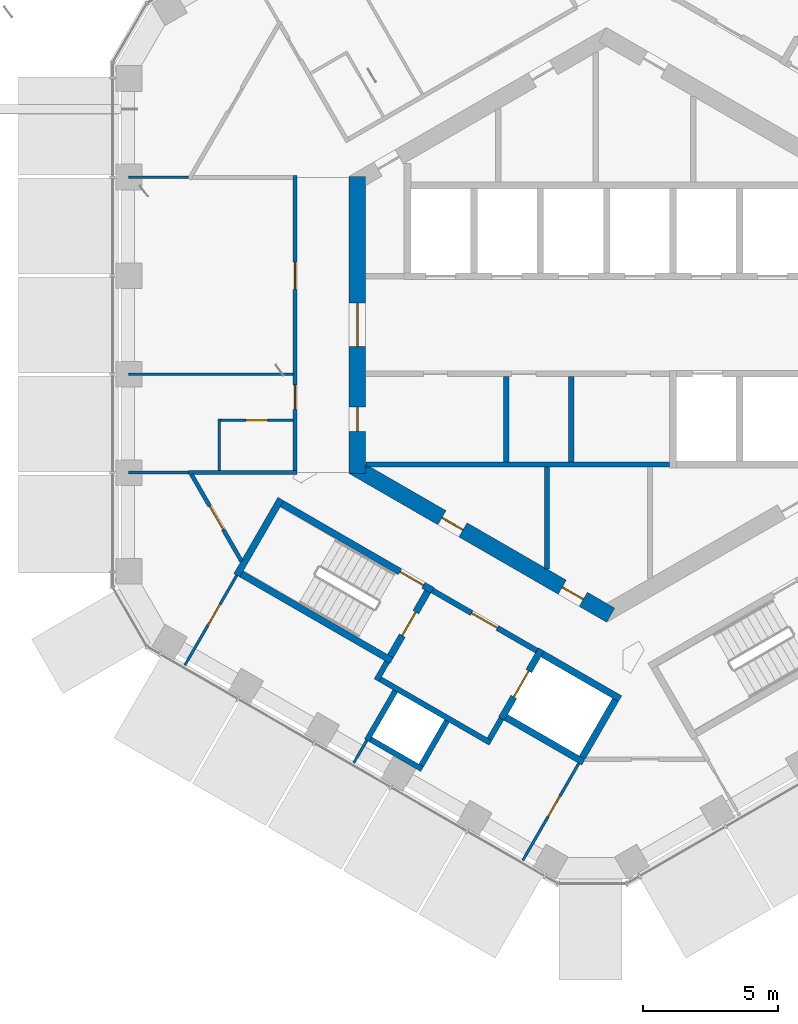
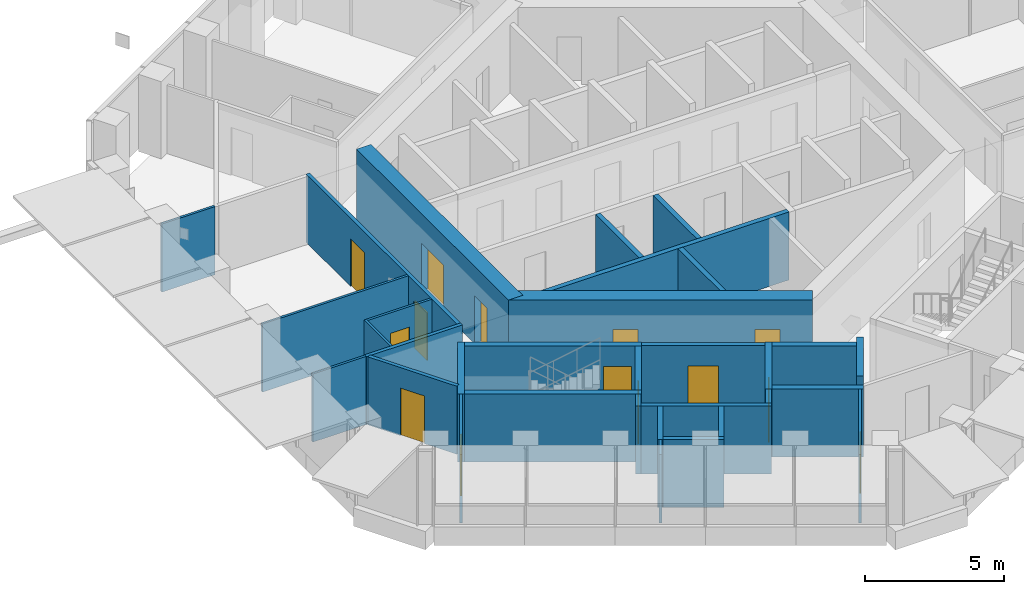
# One storey, part 12 of 21: 32 walls, 14 doors, 14 openings.
"""IFC4 building model written with IfcOpenShell, lengths in metres."""

from ifc_helpers import new_model, si_unit, direction, frame, frame_2d, origin, place, context, subcontext, project, spatial, rectangle, extrude, material, layer, layer_set, type_object, element, fill, save


model = new_model("IFC4")

# Units and contexts
model_context = context("Model", 3, precision=1e-05, world=origin(), true_north=direction((0.0, 1.0)))
body_context = subcontext(model_context, "Body", "Model", "MODEL_VIEW")
ifc_project = project(units=[si_unit("LENGTHUNIT", "METRE"), si_unit("AREAUNIT", "SQUARE_METRE"), si_unit("VOLUMEUNIT", "CUBIC_METRE"), si_unit("PLANEANGLEUNIT", "RADIAN"), si_unit("MASSUNIT", "GRAM", prefix="KILO")], contexts=[model_context])

# Site, building, storey
site_placement = place(None, origin())
site = spatial("IfcSite", under=ifc_project, at=site_placement, CompositionType="ELEMENT")
building_placement = place(site_placement, origin())
building = spatial("IfcBuilding", under=site, at=building_placement, Name="Ayvan Gate Tower", CompositionType="ELEMENT")
storey_placement = place(building_placement, frame((0.0, 0.0, 183.300048828125)))
storey = spatial("IfcBuildingStorey", under=building, at=storey_placement, Name="L49", CompositionType="ELEMENT", Elevation=183.300048828125)

# Wall, openings, doors
ifc_material_1 = material(Name="Concrete C60/75", Category="concrete")
ifc_layer_1 = layer(ifc_material_1, 0.60009765625)
ifc_layer_set_1 = layer_set([ifc_layer_1], Name="Concrete C60/75")
wall_type_1 = type_object("IfcWallType", Name="Core wall 600 C60/75", PredefinedType="SHEAR", material=ifc_layer_set_1)
wall_1_placement = place(storey_placement, frame((-9.199951171875, 5.48486328125, 0.0), z_axis=(0.0, 0.0, 1.0), x_axis=(0.0, -1.0, 0.0)))
wall_1 = element("IfcWall", 1, at=wall_1_placement, inside=storey, type_object=wall_type_1, Name="CORE-L49-3", PredefinedType="SHEAR", context=body_context, shape_type="SweptSolid", body=[
    extrude(rectangle(XDim=10.9697265625, YDim=0.60009765625, at=frame_2d((5.48486328125, 0.0))), origin(), (0.0, 0.0, 1.0), 3.39990234375),
])
opening_1_placement = place(wall_1_placement, frame((8.51611328125, 0.0, 0.0)))
opening_1 = element("IfcOpeningElement", 2, at=opening_1_placement, cuts=wall_1, Name="Opening L49-D49", PredefinedType="OPENING", context=body_context, shape_type="SweptSolid", body=[
    extrude(rectangle(XDim=0.89990234375, YDim=2.10009765625, at=frame_2d((0.449951171875, 1.050048828125))), frame((0.0, 0.31005859375, 0.0), z_axis=(0.0, -1.0, 0.0), x_axis=(1.0, 0.0, 0.0)), (0.0, 0.0, 1.0), 0.6201171875),
])
opening_2_placement = place(wall_1_placement, frame((4.684814453125, 0.0, 0.0)))
opening_2 = element("IfcOpeningElement", 3, at=opening_2_placement, cuts=wall_1, Name="Opening L49-D51", PredefinedType="OPENING", context=body_context, shape_type="SweptSolid", body=[
    extrude(rectangle(XDim=1.60009765625, YDim=2.10009765625, at=frame_2d((0.800048828125, 1.050048828125))), frame((0.0, 0.31005859375, 0.0), z_axis=(0.0, -1.0, 0.0), x_axis=(1.0, 0.0, 0.0)), (0.0, 0.0, 1.0), 0.6201171875),
])
ifc_material_2 = material(Name="Timber door leaf", Category="wood")
door_type_1 = type_object("IfcDoorType", Name="DT-1600", OperationType="NOTDEFINED", PredefinedType="DOOR", material=ifc_material_2)
door_1_placement = place(opening_2_placement, origin())
door_1 = element("IfcDoor", 4, at=door_1_placement, inside=storey, type_object=door_type_1, Name="CD-L49-51", OperationType="SINGLE_SWING_RIGHT", OverallHeight=2.10009765625, OverallWidth=1.60009765625, PredefinedType="DOOR", context=body_context, shape_type="SweptSolid", body=[
    extrude(rectangle(XDim=1.60009765625, YDim=2.10009765625, at=frame_2d((0.800048828125, 1.050048828125))), frame((0.0, 0.02490234375, 0.0), z_axis=(0.0, -1.0, 0.0), x_axis=(1.0, 0.0, 0.0)), (0.0, 0.0, 1.0), 0.050048828125),
])
fill(opening_2, door_1)
door_type_2 = type_object("IfcDoorType", Name="DT-900", OperationType="NOTDEFINED", PredefinedType="DOOR", material=ifc_material_2)
door_2_placement = place(opening_1_placement, origin())
door_2 = element("IfcDoor", 5, at=door_2_placement, inside=storey, type_object=door_type_2, Name="CD-L49-49", OperationType="SINGLE_SWING_RIGHT", OverallHeight=2.10009765625, OverallWidth=0.89990234375, PredefinedType="DOOR", context=body_context, shape_type="SweptSolid", body=[
    extrude(rectangle(XDim=0.89990234375, YDim=2.10009765625, at=frame_2d((0.449951171875, 1.050048828125))), frame((0.0, 0.02490234375, 0.0), z_axis=(0.0, -1.0, 0.0), x_axis=(1.0, 0.0, 0.0)), (0.0, 0.0, 1.0), 0.050048828125),
])
fill(opening_1, door_2)

wall_2_placement = place(storey_placement, frame((-9.35009765625, -5.22509765625, 0.0), z_axis=(0.0, 0.0, 1.0), x_axis=(0.866023993627, -0.500002442456, 0.0)))
wall_2 = element("IfcWall", 6, at=wall_2_placement, inside=storey, type_object=wall_type_1, Name="CORE-L49-4", PredefinedType="SHEAR", context=body_context, shape_type="SweptSolid", body=[
    extrude(rectangle(XDim=10.9697265625, YDim=0.60009765625, at=frame_2d((5.48486328125, 0.0))), origin(), (0.0, 0.0, 1.0), 3.39990234375),
])
opening_3_placement = place(wall_2_placement, frame((3.77685546875, 0.0, 0.0)))
opening_3 = element("IfcOpeningElement", 7, at=opening_3_placement, cuts=wall_2, Name="Opening L49-D46", PredefinedType="OPENING", context=body_context, shape_type="SweptSolid", body=[
    extrude(rectangle(XDim=0.89990234375, YDim=2.10009765625, at=frame_2d((0.449951171875, 1.050048828125))), frame((0.0, 0.31005859375, 0.0), z_axis=(0.0, -1.0, 0.0), x_axis=(1.0, 0.0, 0.0)), (0.0, 0.0, 1.0), 0.6201171875),
])
opening_4_placement = place(wall_2_placement, frame((8.902587890625, 0.0, 0.0)))
opening_4 = element("IfcOpeningElement", 8, at=opening_4_placement, cuts=wall_2, Name="Opening L49-D47", PredefinedType="OPENING", context=body_context, shape_type="SweptSolid", body=[
    extrude(rectangle(XDim=0.89990234375, YDim=2.10009765625, at=frame_2d((0.449951171875, 1.050048828125))), frame((0.0, 0.31005859375, 0.0), z_axis=(0.0, -1.0, 0.0), x_axis=(1.0, 0.0, 0.0)), (0.0, 0.0, 1.0), 0.6201171875),
])
door_3_placement = place(opening_3_placement, origin())
door_3 = element("IfcDoor", 9, at=door_3_placement, inside=storey, type_object=door_type_2, Name="CD-L49-46", OperationType="SINGLE_SWING_LEFT", OverallHeight=2.10009765625, OverallWidth=0.89990234375, PredefinedType="DOOR", context=body_context, shape_type="SweptSolid", body=[
    extrude(rectangle(XDim=0.89990234375, YDim=2.10009765625, at=frame_2d((0.449951171875, 1.050048828125))), frame((0.0, 0.02490234375, 0.0), z_axis=(0.0, -1.0, 0.0), x_axis=(1.0, 0.0, 0.0)), (0.0, 0.0, 1.0), 0.050048828125),
])
fill(opening_3, door_3)
door_4_placement = place(opening_4_placement, origin())
door_4 = element("IfcDoor", 10, at=door_4_placement, inside=storey, type_object=door_type_2, Name="CD-L49-47", OperationType="SINGLE_SWING_RIGHT", OverallHeight=2.10009765625, OverallWidth=0.89990234375, PredefinedType="DOOR", context=body_context, shape_type="SweptSolid", body=[
    extrude(rectangle(XDim=0.89990234375, YDim=2.10009765625, at=frame_2d((0.449951171875, 1.050048828125))), frame((0.0, 0.02490234375, 0.0), z_axis=(0.0, -1.0, 0.0), x_axis=(1.0, 0.0, 0.0)), (0.0, 0.0, 1.0), 0.050048828125),
])
fill(opening_4, door_4)

# Wall
ifc_material_3 = material(Name="Plasterboard on steel stud", Category="steel")
ifc_layer_2 = layer(ifc_material_3, 0.14990234375)
ifc_layer_set_2 = layer_set([ifc_layer_2], Name="Plasterboard on steel stud")
wall_type_2 = type_object("IfcWallType", Name="WT-CORR-150", PredefinedType="PARTITIONING", material=ifc_layer_set_2)
wall_3_placement = place(storey_placement, frame((-15.43798828125, -5.44580078125, 0.0), z_axis=(0.0, 0.0, 1.0), x_axis=(1.0, 0.0, 0.0)))
element("IfcWall", 11, at=wall_3_placement, inside=storey, type_object=wall_type_2, Name="IW-L49-000", PredefinedType="PARTITIONING", context=body_context, shape_type="SweptSolid", body=[
    extrude(rectangle(XDim=4.01318359375, YDim=0.14990234375, at=frame_2d((2.006591796875, 0.0))), origin(), (0.0, 0.0, 1.0), 3.0),
])

# Wall, opening, door
wall_4_placement = place(storey_placement, frame((-13.472900390625, -8.71923828125, 0.0), z_axis=(0.0, 0.0, 1.0), x_axis=(-0.500022870649, 0.866012199007, 0.0)))
wall_4 = element("IfcWall", 12, at=wall_4_placement, inside=storey, type_object=wall_type_2, Name="IW-L49-007", PredefinedType="PARTITIONING", context=body_context, shape_type="SweptSolid", body=[
    extrude(rectangle(XDim=3.704833984375, YDim=0.14990234375, at=frame_2d((1.8525390625, 0.0))), origin(), (0.0, 0.0, 1.0), 3.0),
])
opening_5_placement = place(wall_4_placement, frame((1.352294921875, 0.0, 0.0)))
opening_5 = element("IfcOpeningElement", 13, at=opening_5_placement, cuts=wall_4, Name="Opening L49-D32", PredefinedType="OPENING", context=body_context, shape_type="SweptSolid", body=[
    extrude(rectangle(XDim=1.0, YDim=2.10009765625, at=frame_2d((0.5, 1.050048828125))), frame((0.0, 0.0849609375, 0.0), z_axis=(0.0, -1.0, 0.0), x_axis=(1.0, 0.0, 0.0)), (0.0, 0.0, 1.0), 0.169921875),
])
door_type_3 = type_object("IfcDoorType", Name="DT-1000", OperationType="NOTDEFINED", PredefinedType="DOOR", material=ifc_material_2)
door_5_placement = place(opening_5_placement, origin())
door_5 = element("IfcDoor", 14, at=door_5_placement, inside=storey, type_object=door_type_3, Name="ID-L49-032", OperationType="SINGLE_SWING_LEFT", OverallHeight=2.10009765625, OverallWidth=1.0, PredefinedType="DOOR", context=body_context, shape_type="SweptSolid", body=[
    extrude(rectangle(XDim=1.0, YDim=2.10009765625, at=frame_2d((0.5, 1.050048828125))), frame((0.0, 0.02490234375, 0.0), z_axis=(0.0, -1.0, 0.0), x_axis=(1.0, 0.0, 0.0)), (0.0, 0.0, 1.0), 0.050048828125),
])
fill(opening_5, door_5)

# Wall, openings, doors
wall_5_placement = place(storey_placement, frame((-11.5, -5.370849609375, 0.0), z_axis=(0.0, 0.0, 1.0), x_axis=(0.0, 1.0, 0.0)))
wall_5 = element("IfcWall", 15, at=wall_5_placement, inside=storey, type_object=wall_type_2, Name="IW-L49-011", PredefinedType="PARTITIONING", context=body_context, shape_type="SweptSolid", body=[
    extrude(rectangle(XDim=10.8916015625, YDim=0.14990234375, at=frame_2d((5.44580078125, 0.0))), origin(), (0.0, 0.0, 1.0), 3.0),
])
opening_6_placement = place(wall_5_placement, frame((6.68603515625, 0.0, 0.0)))
opening_6 = element("IfcOpeningElement", 16, at=opening_6_placement, cuts=wall_5, Name="Opening L49-D29", PredefinedType="OPENING", context=body_context, shape_type="SweptSolid", body=[
    extrude(rectangle(XDim=1.0, YDim=2.10009765625, at=frame_2d((0.5, 1.050048828125))), frame((0.0, 0.0849609375, 0.0), z_axis=(0.0, -1.0, 0.0), x_axis=(1.0, 0.0, 0.0)), (0.0, 0.0, 1.0), 0.169921875),
])
opening_7_placement = place(wall_5_placement, frame((2.255615234375, 0.0, 0.0)))
opening_7 = element("IfcOpeningElement", 17, at=opening_7_placement, cuts=wall_5, Name="Opening L49-D30", PredefinedType="OPENING", context=body_context, shape_type="SweptSolid", body=[
    extrude(rectangle(XDim=0.89990234375, YDim=2.10009765625, at=frame_2d((0.449951171875, 1.050048828125))), frame((0.0, 0.0849609375, 0.0), z_axis=(0.0, -1.0, 0.0), x_axis=(1.0, 0.0, 0.0)), (0.0, 0.0, 1.0), 0.169921875),
])
door_6_placement = place(opening_6_placement, origin())
door_6 = element("IfcDoor", 18, at=door_6_placement, inside=storey, type_object=door_type_3, Name="ID-L49-029", OperationType="SINGLE_SWING_RIGHT", OverallHeight=2.10009765625, OverallWidth=1.0, PredefinedType="DOOR", context=body_context, shape_type="SweptSolid", body=[
    extrude(rectangle(XDim=1.0, YDim=2.10009765625, at=frame_2d((0.5, 1.050048828125))), frame((0.0, 0.02490234375, 0.0), z_axis=(0.0, -1.0, 0.0), x_axis=(1.0, 0.0, 0.0)), (0.0, 0.0, 1.0), 0.050048828125),
])
fill(opening_6, door_6)
door_7_placement = place(opening_7_placement, origin())
door_7 = element("IfcDoor", 19, at=door_7_placement, inside=storey, type_object=door_type_2, Name="ID-L49-030", OperationType="SINGLE_SWING_LEFT", OverallHeight=2.10009765625, OverallWidth=0.89990234375, PredefinedType="DOOR", context=body_context, shape_type="SweptSolid", body=[
    extrude(rectangle(XDim=0.89990234375, YDim=2.10009765625, at=frame_2d((0.449951171875, 1.050048828125))), frame((0.0, 0.02490234375, 0.0), z_axis=(0.0, -1.0, 0.0), x_axis=(1.0, 0.0, 0.0)), (0.0, 0.0, 1.0), 0.050048828125),
])
fill(opening_7, door_7)

# Walls
ifc_layer_3 = layer(ifc_material_3, 0.10009765625)
ifc_layer_set_3 = layer_set([ifc_layer_3], Name="Plasterboard on steel stud")
wall_type_3 = type_object("IfcWallType", Name="WT-PART-100", PredefinedType="PARTITIONING", material=ifc_layer_set_3)
wall_6_placement = place(storey_placement, frame((-15.43798828125, 5.44580078125, 0.0), z_axis=(0.0, 0.0, 1.0), x_axis=(-1.0, 0.0, 0.0)))
element("IfcWall", 20, at=wall_6_placement, inside=storey, type_object=wall_type_3, Name="IW-L49-001", PredefinedType="PARTITIONING", context=body_context, shape_type="SweptSolid", body=[
    extrude(rectangle(XDim=2.21435546875, YDim=0.10009765625, at=frame_2d((1.107177734375, 0.0))), origin(), (0.0, 0.0, 1.0), 3.0),
])
wall_7_placement = place(storey_placement, frame((-15.437744140625, -5.44580078125, 0.0), z_axis=(0.0, 0.0, 1.0), x_axis=(-1.0, 0.0, 0.0)))
element("IfcWall", 21, at=wall_7_placement, inside=storey, type_object=wall_type_3, Name="IW-L49-003", PredefinedType="PARTITIONING", context=body_context, shape_type="SweptSolid", body=[
    extrude(rectangle(XDim=2.214599609375, YDim=0.10009765625, at=frame_2d((1.107421875, 0.0))), origin(), (0.0, 0.0, 1.0), 3.0),
])
wall_8_placement = place(storey_placement, frame((-14.300048828125, -3.46533203125, 0.0), z_axis=(0.0, 0.0, 1.0), x_axis=(0.0, -1.0, 0.0)))
element("IfcWall", 22, at=wall_8_placement, inside=storey, type_object=wall_type_3, Name="IW-L49-004", PredefinedType="PARTITIONING", context=body_context, shape_type="SweptSolid", body=[
    extrude(rectangle(XDim=1.905517578125, YDim=0.10009765625, at=frame_2d((0.95263671875, 0.0))), origin(), (0.0, 0.0, 1.0), 3.0),
])

# Wall, opening, door
wall_9_placement = place(storey_placement, frame((-13.647705078125, -9.23876953125, 0.0), z_axis=(0.0, 0.0, 1.0), x_axis=(-0.500044099915, -0.86599994119, 0.0)))
wall_9 = element("IfcWall", 23, at=wall_9_placement, inside=storey, type_object=wall_type_3, Name="IW-L49-006", PredefinedType="PARTITIONING", context=body_context, shape_type="SweptSolid", body=[
    extrude(rectangle(XDim=3.832763671875, YDim=0.10009765625, at=frame_2d((1.91650390625, 0.0))), origin(), (0.0, 0.0, 1.0), 3.0),
])
opening_8_placement = place(wall_9_placement, frame((1.230712890625, 0.0, 0.0)))
opening_8 = element("IfcOpeningElement", 24, at=opening_8_placement, cuts=wall_9, Name="Opening L49-D33", PredefinedType="OPENING", context=body_context, shape_type="SweptSolid", body=[
    extrude(rectangle(XDim=0.89990234375, YDim=2.10009765625, at=frame_2d((0.449951171875, 1.050048828125))), frame((0.0, 0.06005859375, 0.0), z_axis=(0.0, -1.0, 0.0), x_axis=(1.0, 0.0, 0.0)), (0.0, 0.0, 1.0), 0.1201171875),
])
door_8_placement = place(opening_8_placement, origin())
door_8 = element("IfcDoor", 25, at=door_8_placement, inside=storey, type_object=door_type_2, Name="ID-L49-033", OperationType="SINGLE_SWING_RIGHT", OverallHeight=2.10009765625, OverallWidth=0.89990234375, PredefinedType="DOOR", context=body_context, shape_type="SweptSolid", body=[
    extrude(rectangle(XDim=0.89990234375, YDim=2.10009765625, at=frame_2d((0.449951171875, 1.050048828125))), frame((0.0, 0.02490234375, 0.0), z_axis=(0.0, -1.0, 0.0), x_axis=(1.0, 0.0, 0.0)), (0.0, 0.0, 1.0), 0.050048828125),
])
fill(opening_8, door_8)

wall_10_placement = place(storey_placement, frame((-11.574951171875, -3.515380859375, 0.0), z_axis=(0.0, 0.0, 1.0), x_axis=(-1.0, 0.0, 0.0)))
wall_10 = element("IfcWall", 26, at=wall_10_placement, inside=storey, type_object=wall_type_3, Name="IW-L49-012", PredefinedType="PARTITIONING", context=body_context, shape_type="SweptSolid", body=[
    extrude(rectangle(XDim=2.675048828125, YDim=0.10009765625, at=frame_2d((1.33740234375, 0.0))), origin(), (0.0, 0.0, 1.0), 3.0),
])
opening_9_placement = place(wall_10_placement, frame((0.9375, 0.0, 0.0)))
opening_9 = element("IfcOpeningElement", 27, at=opening_9_placement, cuts=wall_10, Name="Opening L49-D31", PredefinedType="OPENING", context=body_context, shape_type="SweptSolid", body=[
    extrude(rectangle(XDim=0.800048828125, YDim=2.10009765625, at=frame_2d((0.39990234375, 1.050048828125))), frame((0.0, 0.06005859375, 0.0), z_axis=(0.0, -1.0, 0.0), x_axis=(1.0, 0.0, 0.0)), (0.0, 0.0, 1.0), 0.1201171875),
])
door_type_4 = type_object("IfcDoorType", Name="DT-800", OperationType="NOTDEFINED", PredefinedType="DOOR", material=ifc_material_2)
door_9_placement = place(opening_9_placement, origin())
door_9 = element("IfcDoor", 28, at=door_9_placement, inside=storey, type_object=door_type_4, Name="ID-L49-031", OperationType="SINGLE_SWING_RIGHT", OverallHeight=2.10009765625, OverallWidth=0.800048828125, PredefinedType="DOOR", context=body_context, shape_type="SweptSolid", body=[
    extrude(rectangle(XDim=0.800048828125, YDim=2.10009765625, at=frame_2d((0.39990234375, 1.050048828125))), frame((0.0, 0.02490234375, 0.0), z_axis=(0.0, -1.0, 0.0), x_axis=(1.0, 0.0, 0.0)), (0.0, 0.0, 1.0), 0.050048828125),
])
fill(opening_9, door_9)

# Walls
wall_11_placement = place(storey_placement, frame((-11.574951171875, -1.815185546875, 0.0), z_axis=(0.0, 0.0, 1.0), x_axis=(-1.0, 0.0, 0.0)))
element("IfcWall", 29, at=wall_11_placement, inside=storey, type_object=wall_type_3, Name="IW-L49-013", PredefinedType="PARTITIONING", context=body_context, shape_type="SweptSolid", body=[
    extrude(rectangle(XDim=6.077392578125, YDim=0.10009765625, at=frame_2d((3.03857421875, 0.0))), origin(), (0.0, 0.0, 1.0), 3.0),
])
wall_12_placement = place(storey_placement, frame((-9.328857421875, -16.157958984375, 0.0), z_axis=(0.0, 0.0, 1.0), x_axis=(0.499950501706, 0.866053979752, 0.0)))
element("IfcWall", 30, at=wall_12_placement, inside=storey, type_object=wall_type_3, Name="IW-L49-023", PredefinedType="PARTITIONING", context=body_context, shape_type="SweptSolid", body=[
    extrude(rectangle(XDim=0.95751953125, YDim=0.10009765625, at=frame_2d((0.478759765625, 0.0))), origin(), (0.0, 0.0, 1.0), 3.0),
])

# Wall, opening, door
wall_13_placement = place(storey_placement, frame((-3.093505859375, -19.7578125, 0.0), z_axis=(0.0, 0.0, 1.0), x_axis=(0.500027577057, 0.866009481578, 0.0)))
wall_13 = element("IfcWall", 31, at=wall_13_placement, inside=storey, type_object=wall_type_3, Name="IW-L49-040", PredefinedType="PARTITIONING", context=body_context, shape_type="SweptSolid", body=[
    extrude(rectangle(XDim=4.132568359375, YDim=0.10009765625, at=frame_2d((2.06640625, 0.0))), origin(), (0.0, 0.0, 1.0), 3.0),
])
opening_10_placement = place(wall_13_placement, frame((1.851806640625, 0.0, 0.0)))
opening_10 = element("IfcOpeningElement", 32, at=opening_10_placement, cuts=wall_13, Name="Opening L49-D35", PredefinedType="OPENING", context=body_context, shape_type="SweptSolid", body=[
    extrude(rectangle(XDim=0.89990234375, YDim=2.10009765625, at=frame_2d((0.449951171875, 1.050048828125))), frame((0.0, 0.06005859375, 0.0), z_axis=(0.0, -1.0, 0.0), x_axis=(1.0, 0.0, 0.0)), (0.0, 0.0, 1.0), 0.1201171875),
])
door_10_placement = place(opening_10_placement, origin())
door_10 = element("IfcDoor", 33, at=door_10_placement, inside=storey, type_object=door_type_2, Name="ID-L49-035", OperationType="SINGLE_SWING_RIGHT", OverallHeight=2.10009765625, OverallWidth=0.89990234375, PredefinedType="DOOR", context=body_context, shape_type="SweptSolid", body=[
    extrude(rectangle(XDim=0.89990234375, YDim=2.10009765625, at=frame_2d((0.449951171875, 1.050048828125))), frame((0.0, 0.02490234375, 0.0), z_axis=(0.0, -1.0, 0.0), x_axis=(1.0, 0.0, 0.0)), (0.0, 0.0, 1.0), 0.050048828125),
])
fill(opening_10, door_10)

# Walls
ifc_layer_4 = layer(ifc_material_3, 0.199951171875)
ifc_layer_set_4 = layer_set([ifc_layer_4], Name="Plasterboard on steel stud")
wall_type_4 = type_object("IfcWallType", Name="WT-PLUMB-200", PredefinedType="PLUMBINGWALL", material=ifc_layer_set_4)
wall_14_placement = place(storey_placement, frame((-8.85009765625, -15.32861328125, 0.0), z_axis=(0.0, 0.0, 1.0), x_axis=(0.500027713859, 0.866009402589, 0.0)))
element("IfcWall", 34, at=wall_14_placement, inside=storey, type_object=wall_type_4, Name="IW-L49-019", PredefinedType="PLUMBINGWALL", context=body_context, shape_type="SweptSolid", body=[
    extrude(rectangle(XDim=2.10009765625, YDim=0.199951171875, at=frame_2d((1.050048828125, 0.0))), origin(), (0.0, 0.0, 1.0), 3.0),
])
wall_15_placement = place(storey_placement, frame((-6.80810546875, -16.39208984375, 0.0), z_axis=(0.0, 0.0, 1.0), x_axis=(-0.866008176907, 0.50002983664, 0.0)))
element("IfcWall", 35, at=wall_15_placement, inside=storey, type_object=wall_type_4, Name="IW-L49-028", PredefinedType="PLUMBINGWALL", context=body_context, shape_type="SweptSolid", body=[
    extrude(rectangle(XDim=2.199951171875, YDim=0.199951171875, at=frame_2d((1.10009765625, 0.0))), origin(), (0.0, 0.0, 1.0), 3.0),
])
wall_16_placement = place(storey_placement, frame((-5.894775390625, -14.610107421875, 0.0), z_axis=(0.0, 0.0, 1.0), x_axis=(-0.500022797313, -0.86601224135, 0.0)))
element("IfcWall", 36, at=wall_16_placement, inside=storey, type_object=wall_type_4, Name="IW-L49-032", PredefinedType="PLUMBINGWALL", context=body_context, shape_type="SweptSolid", body=[
    extrude(rectangle(XDim=1.89990234375, YDim=0.199951171875, at=frame_2d((0.949951171875, 0.0))), origin(), (0.0, 0.0, 1.0), 3.0),
])
ifc_layer_5 = layer(ifc_material_3, 0.199951171875)
ifc_layer_set_5 = layer_set([ifc_layer_5], Name="Plasterboard on steel stud")
wall_type_5 = type_object("IfcWallType", Name="WT-RATED-200", PredefinedType="PARTITIONING", material=ifc_layer_set_5)
wall_17_placement = place(storey_placement, frame((-8.8798828125, -5.14990234375, 0.0), z_axis=(0.0, 0.0, 1.0), x_axis=(1.0, 0.0, 0.0)))
element("IfcWall", 37, at=wall_17_placement, inside=storey, type_object=wall_type_5, Name="IW-L49-018", PredefinedType="PARTITIONING", context=body_context, shape_type="SweptSolid", body=[
    extrude(rectangle(XDim=11.205078125, YDim=0.199951171875, at=frame_2d((5.6025390625, 0.0))), origin(), (0.0, 0.0, 1.0), 3.0),
])
wall_18_placement = place(storey_placement, frame((-8.492919921875, -13.110107421875, 0.0), z_axis=(0.0, 0.0, 1.0), x_axis=(0.500067724834, 0.865986299303, 0.0)))
element("IfcWall", 38, at=wall_18_placement, inside=storey, type_object=wall_type_5, Name="IW-L49-020", PredefinedType="PARTITIONING", context=body_context, shape_type="SweptSolid", body=[
    extrude(rectangle(XDim=0.775390625, YDim=0.199951171875, at=frame_2d((0.3876953125, 0.0))), origin(), (0.0, 0.0, 1.0), 3.0),
])
wall_19_placement = place(storey_placement, frame((-8.356201171875, -13.073486328125, 0.0), z_axis=(0.0, 0.0, 1.0), x_axis=(0.866038532462, -0.499977259774, 0.0)))
element("IfcWall", 39, at=wall_19_placement, inside=storey, type_object=wall_type_5, Name="IW-L49-024", PredefinedType="PARTITIONING", context=body_context, shape_type="SweptSolid", body=[
    extrude(rectangle(XDim=4.699951171875, YDim=0.199951171875, at=frame_2d((2.35009765625, 0.0))), origin(), (0.0, 0.0, 1.0), 3.0),
])

# Wall, opening, door
wall_20_placement = place(storey_placement, frame((-6.4345703125, -9.794921875, 0.0), z_axis=(0.0, 0.0, 1.0), x_axis=(0.866012907634, -0.500021643343, 0.0)))
wall_20 = element("IfcWall", 40, at=wall_20_placement, inside=storey, type_object=wall_type_5, Name="IW-L49-031", PredefinedType="PARTITIONING", context=body_context, shape_type="SweptSolid", body=[
    extrude(rectangle(XDim=4.449951171875, YDim=0.199951171875, at=frame_2d((2.22509765625, 0.0))), origin(), (0.0, 0.0, 1.0), 3.0),
])
opening_11_placement = place(wall_20_placement, frame((1.675048828125, 0.0, 0.0)))
opening_11 = element("IfcOpeningElement", 41, at=opening_11_placement, cuts=wall_20, Name="Opening L49-D17", PredefinedType="OPENING", context=body_context, shape_type="SweptSolid", body=[
    extrude(rectangle(XDim=1.10009765625, YDim=2.10009765625, at=frame_2d((0.550048828125, 1.050048828125))), frame((0.0, 0.10986328125, 0.0), z_axis=(0.0, -1.0, 0.0), x_axis=(1.0, 0.0, 0.0)), (0.0, 0.0, 1.0), 0.219970703125),
])
door_type_5 = type_object("IfcDoorType", Name="DT-1100", OperationType="NOTDEFINED", PredefinedType="DOOR", material=ifc_material_2)
door_11_placement = place(opening_11_placement, origin())
door_11 = element("IfcDoor", 42, at=door_11_placement, inside=storey, type_object=door_type_5, Name="ID-L49-017", OperationType="SINGLE_SWING_RIGHT", OverallHeight=2.10009765625, OverallWidth=1.10009765625, PredefinedType="DOOR", context=body_context, shape_type="SweptSolid", body=[
    extrude(rectangle(XDim=1.10009765625, YDim=2.10009765625, at=frame_2d((0.550048828125, 1.050048828125))), frame((0.0, 0.02490234375, 0.0), z_axis=(0.0, -1.0, 0.0), x_axis=(1.0, 0.0, 0.0)), (0.0, 0.0, 1.0), 0.050048828125),
])
fill(opening_11, door_11)

# Walls
wall_21_placement = place(storey_placement, frame((-3.885009765625, -14.52880859375, 0.0), z_axis=(0.0, 0.0, 1.0), x_axis=(-0.499859285417, -0.866106630146, 0.0)))
element("IfcWall", 43, at=wall_21_placement, inside=storey, type_object=wall_type_5, Name="IW-L49-035", PredefinedType="PARTITIONING", context=body_context, shape_type="SweptSolid", body=[
    extrude(rectangle(XDim=0.875244140625, YDim=0.199951171875, at=frame_2d((0.4375, 0.0))), origin(), (0.0, 0.0, 1.0), 3.0),
])
wall_22_placement = place(storey_placement, frame((-3.699951171875, -1.89990234375, 0.0), z_axis=(0.0, 0.0, 1.0), x_axis=(0.0, -1.0, 0.0)))
element("IfcWall", 44, at=wall_22_placement, inside=storey, type_object=wall_type_5, Name="IW-L49-036", PredefinedType="PARTITIONING", context=body_context, shape_type="SweptSolid", body=[
    extrude(rectangle(XDim=3.150146484375, YDim=0.199951171875, at=frame_2d((1.5751953125, 0.0))), origin(), (0.0, 0.0, 1.0), 3.0),
])
wall_23_placement = place(storey_placement, frame((-2.199951171875, -5.25, 0.0), z_axis=(0.0, 0.0, 1.0), x_axis=(0.0, -1.0, 0.0)))
element("IfcWall", 45, at=wall_23_placement, inside=storey, type_object=wall_type_5, Name="IW-L49-044", PredefinedType="PARTITIONING", context=body_context, shape_type="SweptSolid", body=[
    extrude(rectangle(XDim=3.756591796875, YDim=0.199951171875, at=frame_2d((1.87841796875, 0.0))), origin(), (0.0, 0.0, 1.0), 3.0),
])
wall_24_placement = place(storey_placement, frame((-1.300048828125, -1.89990234375, 0.0), z_axis=(0.0, 0.0, 1.0), x_axis=(0.0, -1.0, 0.0)))
element("IfcWall", 46, at=wall_24_placement, inside=storey, type_object=wall_type_5, Name="IW-L49-047", PredefinedType="PARTITIONING", context=body_context, shape_type="SweptSolid", body=[
    extrude(rectangle(XDim=3.150146484375, YDim=0.199951171875, at=frame_2d((1.5751953125, 0.0))), origin(), (0.0, 0.0, 1.0), 3.0),
])
ifc_material_4 = material(Name="Concrete C50/60", Category="concrete")
ifc_layer_6 = layer(ifc_material_4, 0.25)
ifc_layer_set_6 = layer_set([ifc_layer_6], Name="Concrete C50/60")
wall_type_6 = type_object("IfcWallType", Name="WT-RC-250", PredefinedType="SHEAR", material=ifc_layer_set_6)
wall_25_placement = place(storey_placement, frame((-13.64794921875, -9.23876953125, 0.0), z_axis=(0.0, 0.0, 1.0), x_axis=(0.500017246033, 0.866015446554, 0.0)))
element("IfcWall", 47, at=wall_25_placement, inside=storey, type_object=wall_type_6, Name="IW-L49-005", PredefinedType="SHEAR", context=body_context, shape_type="SweptSolid", body=[
    extrude(rectangle(XDim=3.25, YDim=0.25, at=frame_2d((1.625, 0.0))), origin(), (0.0, 0.0, 1.0), 3.0),
])

# Wall, opening, door
wall_26_placement = place(storey_placement, frame((-11.97705078125, -6.594970703125, 0.0), z_axis=(0.0, 0.0, 1.0), x_axis=(0.866025499775, -0.499999833739, 0.0)))
wall_26 = element("IfcWall", 48, at=wall_26_placement, inside=storey, type_object=wall_type_6, Name="IW-L49-009", PredefinedType="SHEAR", context=body_context, shape_type="SweptSolid", body=[
    extrude(rectangle(XDim=6.39990234375, YDim=0.25, at=frame_2d((3.199951171875, 0.0))), origin(), (0.0, 0.0, 1.0), 3.0),
])
opening_12_placement = place(wall_26_placement, frame((5.02490234375, 0.0, 0.0)))
opening_12 = element("IfcOpeningElement", 49, at=opening_12_placement, cuts=wall_26, Name="Opening L49-D15", PredefinedType="OPENING", context=body_context, shape_type="SweptSolid", body=[
    extrude(rectangle(XDim=1.0, YDim=2.10009765625, at=frame_2d((0.5, 1.050048828125))), frame((0.0, 0.135009765625, 0.0), z_axis=(0.0, -1.0, 0.0), x_axis=(1.0, 0.0, 0.0)), (0.0, 0.0, 1.0), 0.27001953125),
])
door_12_placement = place(opening_12_placement, origin())
door_12 = element("IfcDoor", 50, at=door_12_placement, inside=storey, type_object=door_type_3, Name="ID-L49-015", OperationType="SINGLE_SWING_RIGHT", OverallHeight=2.10009765625, OverallWidth=1.0, PredefinedType="DOOR", context=body_context, shape_type="SweptSolid", body=[
    extrude(rectangle(XDim=1.0, YDim=2.10009765625, at=frame_2d((0.5, 1.050048828125))), frame((0.0, 0.02490234375, 0.0), z_axis=(0.0, -1.0, 0.0), x_axis=(1.0, 0.0, 0.0)), (0.0, 0.0, 1.0), 0.050048828125),
])
fill(opening_12, door_12)

# Wall
wall_27_placement = place(storey_placement, frame((-7.9345703125, -12.39306640625, 0.0), z_axis=(0.0, 0.0, 1.0), x_axis=(-0.866025499775, 0.499999833739, 0.0)))
element("IfcWall", 51, at=wall_27_placement, inside=storey, type_object=wall_type_6, Name="IW-L49-022", PredefinedType="SHEAR", context=body_context, shape_type="SweptSolid", body=[
    extrude(rectangle(XDim=6.39990234375, YDim=0.25, at=frame_2d((3.199951171875, 0.0))), origin(), (0.0, 0.0, 1.0), 3.0),
])

# Wall, opening, door
wall_28_placement = place(storey_placement, frame((-6.605224609375, -9.8408203125, 0.0), z_axis=(0.0, 0.0, 1.0), x_axis=(-0.499996545922, -0.866027397988, 0.0)))
wall_28 = element("IfcWall", 52, at=wall_28_placement, inside=storey, type_object=wall_type_6, Name="IW-L49-030", PredefinedType="SHEAR", context=body_context, shape_type="SweptSolid", body=[
    extrude(rectangle(XDim=2.75, YDim=0.25, at=frame_2d((1.375, 0.0))), origin(), (0.0, 0.0, 1.0), 3.0),
])
opening_13_placement = place(wall_28_placement, frame((0.875, 0.0, 0.0)))
opening_13 = element("IfcOpeningElement", 53, at=opening_13_placement, cuts=wall_28, Name="Opening L49-D16", PredefinedType="OPENING", context=body_context, shape_type="SweptSolid", body=[
    extrude(rectangle(XDim=1.0, YDim=2.10009765625, at=frame_2d((0.5, 1.050048828125))), frame((0.0, 0.135009765625, 0.0), z_axis=(0.0, -1.0, 0.0), x_axis=(1.0, 0.0, 0.0)), (0.0, 0.0, 1.0), 0.27001953125),
])
door_13_placement = place(opening_13_placement, origin())
door_13 = element("IfcDoor", 54, at=door_13_placement, inside=storey, type_object=door_type_3, Name="ID-L49-016", OperationType="SINGLE_SWING_LEFT", OverallHeight=2.10009765625, OverallWidth=1.0, PredefinedType="DOOR", context=body_context, shape_type="SweptSolid", body=[
    extrude(rectangle(XDim=1.0, YDim=2.10009765625, at=frame_2d((0.5, 1.050048828125))), frame((0.0, 0.02490234375, 0.0), z_axis=(0.0, -1.0, 0.0), x_axis=(1.0, 0.0, 0.0)), (0.0, 0.0, 1.0), 0.050048828125),
])
fill(opening_13, door_13)

wall_29_placement = place(storey_placement, frame((-2.409912109375, -11.97412109375, 0.0), z_axis=(0.0, 0.0, 1.0), x_axis=(-0.500001826776, -0.866024349092, 0.0)))
wall_29 = element("IfcWall", 55, at=wall_29_placement, inside=storey, type_object=wall_type_6, Name="IW-L49-041", PredefinedType="SHEAR", context=body_context, shape_type="SweptSolid", body=[
    extrude(rectangle(XDim=2.9501953125, YDim=0.25, at=frame_2d((1.47509765625, 0.0))), origin(), (0.0, 0.0, 1.0), 3.0),
])
opening_14_placement = place(wall_29_placement, frame((0.925048828125, 0.0, 0.0)))
opening_14 = element("IfcOpeningElement", 56, at=opening_14_placement, cuts=wall_29, Name="Opening L49-LD-FF2", PredefinedType="OPENING", context=body_context, shape_type="SweptSolid", body=[
    extrude(rectangle(XDim=1.10009765625, YDim=2.10009765625, at=frame_2d((0.550048828125, 1.050048828125))), frame((0.0, 0.135009765625, 0.0), z_axis=(0.0, -1.0, 0.0), x_axis=(1.0, 0.0, 0.0)), (0.0, 0.0, 1.0), 0.27001953125),
])
ifc_material_5 = material(Name="Stainless steel landing door", Category="steel")
door_type_6 = type_object("IfcDoorType", Name="DT-LANDING-1100", OperationType="SLIDING_TO_LEFT", PredefinedType="DOOR", material=ifc_material_5)
door_14_placement = place(opening_14_placement, origin())
door_14 = element("IfcDoor", 57, at=door_14_placement, inside=storey, type_object=door_type_6, Name="ID-L49-018", OperationType="SLIDING_TO_LEFT", OverallHeight=2.10009765625, OverallWidth=1.10009765625, PredefinedType="DOOR", context=body_context, shape_type="SweptSolid", body=[
    extrude(rectangle(XDim=1.10009765625, YDim=2.10009765625, at=frame_2d((0.550048828125, 1.050048828125))), frame((0.0, 0.02490234375, 0.0), z_axis=(0.0, -1.0, 0.0), x_axis=(1.0, 0.0, 0.0)), (0.0, 0.0, 1.0), 0.050048828125),
])
fill(opening_14, door_14)

# Walls
wall_30_placement = place(storey_placement, frame((-2.3642578125, -12.14501953125, 0.0), z_axis=(0.0, 0.0, 1.0), x_axis=(0.866040211805, -0.499974350878, 0.0)))
element("IfcWall", 58, at=wall_30_placement, inside=storey, type_object=wall_type_6, Name="IW-L49-042", PredefinedType="SHEAR", context=body_context, shape_type="SweptSolid", body=[
    extrude(rectangle(XDim=3.300048828125, YDim=0.25, at=frame_2d((1.64990234375, 0.0))), origin(), (0.0, 0.0, 1.0), 3.0),
])
wall_31_placement = place(storey_placement, frame((-0.8564453125, -16.13330078125, 0.0), z_axis=(0.0, 0.0, 1.0), x_axis=(-0.866021716278, 0.500006386895, 0.0)))
element("IfcWall", 59, at=wall_31_placement, inside=storey, type_object=wall_type_6, Name="IW-L49-048", PredefinedType="SHEAR", context=body_context, shape_type="SweptSolid", body=[
    extrude(rectangle(XDim=3.2998046875, YDim=0.25, at=frame_2d((1.64990234375, 0.0))), origin(), (0.0, 0.0, 1.0), 3.0),
])
wall_32_placement = place(storey_placement, frame((-0.902099609375, -15.96240234375, 0.0), z_axis=(0.0, 0.0, 1.0), x_axis=(0.500061746146, 0.865989751695, 0.0)))
element("IfcWall", 60, at=wall_32_placement, inside=storey, type_object=wall_type_6, Name="IW-L49-049", PredefinedType="SHEAR", context=body_context, shape_type="SweptSolid", body=[
    extrude(rectangle(XDim=2.449951171875, YDim=0.25, at=frame_2d((1.22509765625, 0.0))), origin(), (0.0, 0.0, 1.0), 3.39990234375),
])

save(model, "model.ifc")
